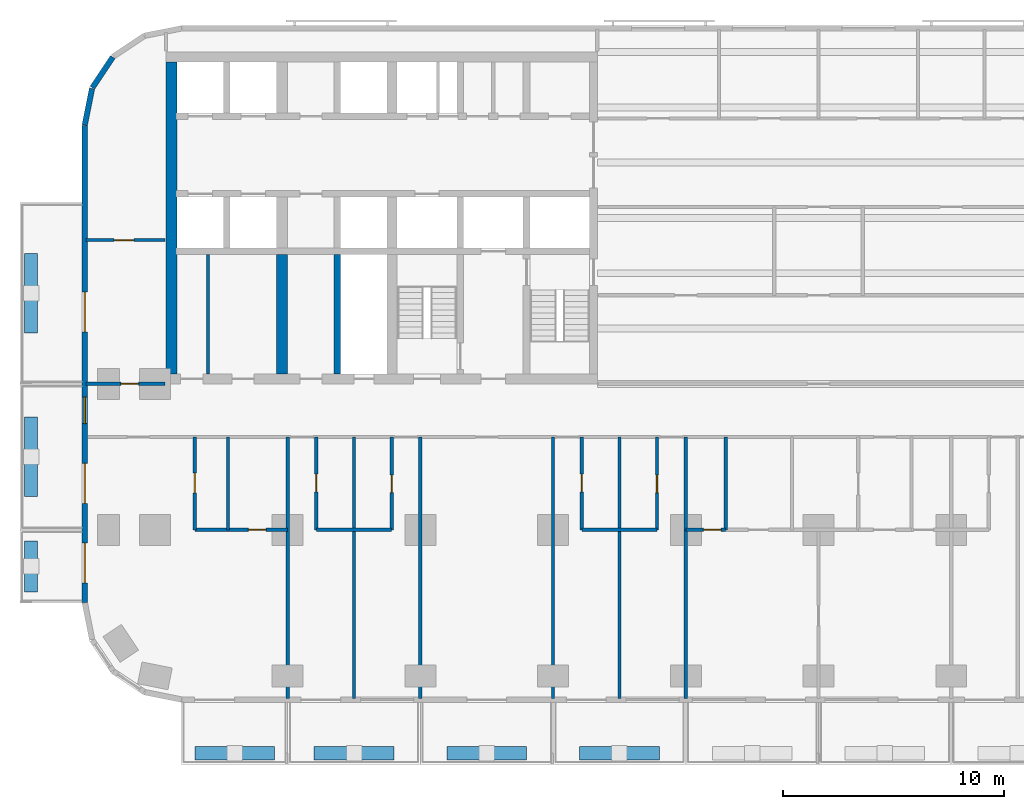
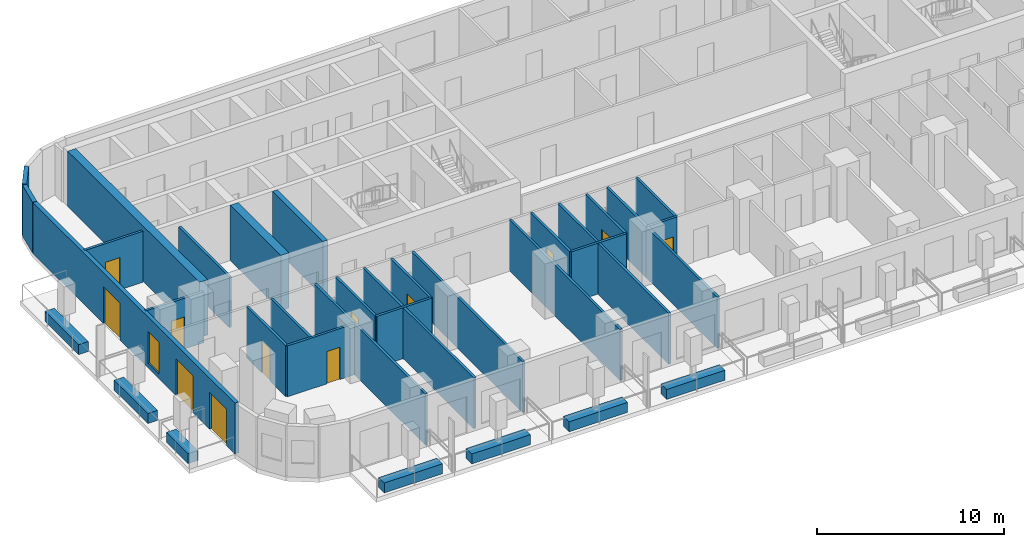
# One storey, part 2 of 13: 34 walls, 12 doors, 1 window, 13 openings.
"""IFC4 building model written with IfcOpenShell, lengths in metres."""

import ifcopenshell
import ifcopenshell.guid

model = None  # the IFC model being written
_history = None  # IfcOwnerHistory: only IFC2X3 demands one
_inside = {}  # id of a spatial element -> (the spatial element, [elements in it])
_under = {}  # id of a project, library or spatial element -> (it, [spatial elements below it])
_declared = {}  # id of a project -> (the project, [libraries it declares])
_typed = {}  # id of a type object -> (the type object, [elements of that type])
_made_of = {}  # id of a material, layer set ... -> (it, [elements and type objects made of it])


def new_model(schema):
    """Start an empty IFC model of exactly this schema.

    Asked for "IFC4X3", IfcOpenShell would pick the latest addendum, in which some entities
    have other attributes; the version numbers below select the first issue.
    IFC2X3 requires an IfcOwnerHistory on every rooted entity: one is made here for all.
    """
    global model, _history
    if schema == "IFC4X3":
        model = ifcopenshell.file(schema_version=(4, 3, 0, 0))
    else:
        model = ifcopenshell.file(schema=schema)
    _inside.clear()
    _under.clear()
    _declared.clear()
    _typed.clear()
    _made_of.clear()
    _history = None
    if model.schema == "IFC2X3":
        org = make("IfcOrganization", Name="unknown")
        user = make(
            "IfcPersonAndOrganization",
            ThePerson=make("IfcPerson", FamilyName="unknown"),
            TheOrganization=org,
        )
        app = make(
            "IfcApplication",
            ApplicationDeveloper=org,
            Version="unknown",
            ApplicationFullName="unknown",
            ApplicationIdentifier="unknown",
        )
        _history = make(
            "IfcOwnerHistory",
            OwningUser=user,
            OwningApplication=app,
            ChangeAction="ADDED",
            CreationDate=0,
        )
    return model


def make(cls, **values):
    """One entity of the class cls with the attributes given. An attribute that is None is left unset."""
    return model.create_entity(
        cls, **{name: value for name, value in values.items() if value is not None}
    )


def rooted(cls, **values):
    """An entity with a GlobalId (a new one), such as an element, a storey or a relation."""
    return make(cls, GlobalId=ifcopenshell.guid.new(), OwnerHistory=_history, **values)


def si_unit(unit_type, name, prefix=None):
    """IfcSIUnit, for example si_unit("LENGTHUNIT", "METRE", prefix="MILLI")."""
    return make("IfcSIUnit", UnitType=unit_type, Prefix=prefix, Name=name)


def assignment(units):
    """IfcUnitAssignment: the units of a project."""
    return None if units is None else make("IfcUnitAssignment", Units=units)


def point(xyz):
    """IfcCartesianPoint."""
    return None if xyz is None else make("IfcCartesianPoint", Coordinates=xyz)


def direction(xyz):
    """IfcDirection."""
    return None if xyz is None else make("IfcDirection", DirectionRatios=xyz)


def frame(location, z_axis=None, x_axis=None):
    """IfcAxis2Placement3D, a coordinate frame: its origin and axes. An axis left out is left unset."""
    return make(
        "IfcAxis2Placement3D",
        Location=point(location),
        Axis=direction(z_axis),
        RefDirection=direction(x_axis),
    )


def frame_2d(location, x_axis=None):
    """IfcAxis2Placement2D, a coordinate frame in the plane: its origin and x axis."""
    return make(
        "IfcAxis2Placement2D", Location=point(location), RefDirection=direction(x_axis)
    )


def origin():
    """The frame at (0, 0, 0) with its axes left unset."""
    return frame((0.0, 0.0, 0.0))


def place(relative_to, where):
    """IfcLocalPlacement: puts the frame where relative to a parent placement (None: the world)."""
    return make(
        "IfcLocalPlacement", PlacementRelTo=relative_to, RelativePlacement=where
    )


def context(
    kind, dimensions, precision=None, world=None, true_north=None, identifier=None
):
    """IfcGeometricRepresentationContext, for example the 3D "Model" context."""
    return make(
        "IfcGeometricRepresentationContext",
        ContextIdentifier=identifier,
        ContextType=kind,
        CoordinateSpaceDimension=dimensions,
        Precision=precision,
        WorldCoordinateSystem=world,
        TrueNorth=true_north,
    )


def subcontext(parent, identifier, kind, view, scale=None):
    """IfcGeometricRepresentationSubContext, for example "Body" below "Model"."""
    return make(
        "IfcGeometricRepresentationSubContext",
        ContextIdentifier=identifier,
        ContextType=kind,
        ParentContext=parent,
        TargetScale=scale,
        TargetView=view,
    )


def project(units=None, contexts=None):
    """IfcProject with its units and contexts."""
    return rooted(
        "IfcProject",
        Name="project",
        RepresentationContexts=contexts,
        UnitsInContext=assignment(units),
    )


def spatial(cls, under=None, at=None, **own):
    """A site, building, storey or space (cls), placed at a placement, below another one or the project."""
    s = rooted(cls, ObjectPlacement=at, **own)
    if under is not None:
        _under.setdefault(under.id(), (under, []))[1].append(s)
    return s


def profile(cls, at=None, kind="AREA", **sizes):
    """A parametric profile (cls). Its sizes go by their IFC names, for example OverallWidth=200.0."""
    return make(cls, ProfileType=kind, Position=at, **sizes)


def rectangle(**sizes):
    """IfcRectangleProfileDef."""
    return profile("IfcRectangleProfileDef", **sizes)


def extrude(swept, where, along, depth):
    """IfcExtrudedAreaSolid: the profile swept, set in the frame where, extruded along a direction by depth."""
    return make(
        "IfcExtrudedAreaSolid",
        SweptArea=swept,
        Position=where,
        ExtrudedDirection=direction(along),
        Depth=depth,
    )


def shape(context_of_items, identifier, shape_type, items):
    """IfcShapeRepresentation: the items that make up one representation, for example the "Body"."""
    return make(
        "IfcShapeRepresentation",
        ContextOfItems=context_of_items,
        RepresentationIdentifier=identifier,
        RepresentationType=shape_type,
        Items=items,
    )


def material(Name=None, Category=None):
    """IfcMaterial."""
    return make("IfcMaterial", Name=Name, Category=Category)


def layer(
    of_material, thickness, ventilated=None, Name=None, Category=None, Priority=None
):
    """IfcMaterialLayer: one layer of a wall or slab, of a material (None: an air gap)."""
    return make(
        "IfcMaterialLayer",
        Material=of_material,
        LayerThickness=thickness,
        IsVentilated=ventilated,
        Name=Name,
        Category=Category,
        Priority=Priority,
    )


def layer_set(layers, Name=None):
    """IfcMaterialLayerSet."""
    return make("IfcMaterialLayerSet", MaterialLayers=layers, LayerSetName=Name)


def made_of(thing, what):
    """Note that an element or type object is made of a material, layer set ...; save() writes the relation."""
    if what is not None:
        _made_of.setdefault(what.id(), (what, []))[1].append(thing)
    return thing


def type_object(cls, material=None, **own):
    """A type object (cls), such as IfcWallType, which elements share."""
    return made_of(rooted(cls, **own), material)


def element(
    cls,
    number,
    at=None,
    inside=None,
    cuts=None,
    type_object=None,
    material=None,
    context=None,
    identifier="Body",
    shape_type=None,
    held_by="IfcProductDefinitionShape",
    body=None,
    shapes=None,
    **own,
):
    """One element of the class cls, such as IfcWall. Its Tag is "e" and its number.

    at: its placement. inside: the storey or other place that contains it. cuts: it is an
    opening in that element (IfcRelVoidsElement). A single representation is given by context,
    identifier, shape_type and body (its items); several are given by shapes. held_by: the class
    of the entity that holds the representations. save() writes the other relations.
    """
    e = rooted(cls, Tag="e%d" % number, ObjectPlacement=at, **own)
    if body is not None:
        shapes = [shape(context, identifier, shape_type, body)]
    if shapes is not None:
        e.Representation = make(held_by, Representations=shapes)
    if inside is not None:
        _inside.setdefault(inside.id(), (inside, []))[1].append(e)
    if cuts is not None:
        rooted(
            "IfcRelVoidsElement", RelatingBuildingElement=cuts, RelatedOpeningElement=e
        )
    if type_object is not None:
        _typed.setdefault(type_object.id(), (type_object, []))[1].append(e)
    return made_of(e, material)


def fill(opening, filler):
    """IfcRelFillsElement: the door or window that sits in an opening."""
    return rooted(
        "IfcRelFillsElement",
        RelatingOpeningElement=opening,
        RelatedBuildingElement=filler,
    )


def aggregate(whole, parts):
    """IfcRelAggregates: a whole, such as a stair, and the parts it consists of."""
    return rooted("IfcRelAggregates", RelatingObject=whole, RelatedObjects=parts)


def save(model, path):
    """Write the relations noted so far, then the file.

    IfcRelAggregates (storeys below a building ...), IfcRelContainedInSpatialStructure (elements
    in a storey), IfcRelDefinesByType, IfcRelAssociatesMaterial and IfcRelDeclares: one each for
    every whole, place, type object, material and project.
    """
    for whole, parts in _under.values():
        aggregate(whole, parts)
    for where, things in _inside.values():
        rooted(
            "IfcRelContainedInSpatialStructure",
            RelatedElements=things,
            RelatingStructure=where,
        )
    for kind, things in _typed.values():
        rooted("IfcRelDefinesByType", RelatedObjects=things, RelatingType=kind)
    for what, things in _made_of.values():
        rooted("IfcRelAssociatesMaterial", RelatedObjects=things, RelatingMaterial=what)
    for by, libraries in _declared.values():
        rooted("IfcRelDeclares", RelatingContext=by, RelatedDefinitions=libraries)
    model.write(path)


model = new_model("IFC4")

# Units and contexts
model_context = context("Model", 3, precision=1e-05, world=origin(), true_north=direction((0.0, 1.0)))
body_context = subcontext(model_context, "Body", "Model", "MODEL_VIEW")
ifc_project = project(units=[si_unit("LENGTHUNIT", "METRE"), si_unit("AREAUNIT", "SQUARE_METRE"), si_unit("VOLUMEUNIT", "CUBIC_METRE"), si_unit("PLANEANGLEUNIT", "RADIAN"), si_unit("MASSUNIT", "GRAM", prefix="KILO")], contexts=[model_context])

# Site, building, storey
site_placement = place(None, origin())
site = spatial("IfcSite", under=ifc_project, at=site_placement, CompositionType="ELEMENT")
building_placement = place(site_placement, origin())
building = spatial("IfcBuilding", under=site, at=building_placement, Name="Torana Hotel and Residences", CompositionType="ELEMENT")
storey_placement = place(building_placement, frame((0.0, 0.0, 81.60009765625)))
storey = spatial("IfcBuildingStorey", under=building, at=storey_placement, Name="L20", CompositionType="ELEMENT", Elevation=81.60009765625)

# Walls
ifc_material_1 = material(Name="Concrete C80/95", Category="concrete")
ifc_layer_1 = layer(ifc_material_1, 0.300048828125)
ifc_layer_set_1 = layer_set([ifc_layer_1], Name="CORE WALL 300 C80/95")
wall_type_1 = type_object("IfcWallType", Name="CORE WALL 300 C80/95", PredefinedType="SHEAR", material=ifc_layer_set_1)
wall_1_placement = place(storey_placement, frame((-21.75, -14.550048828125, 0.0), z_axis=(0.0, 0.0, 1.0), x_axis=(0.0, 1.0, 0.0)))
element("IfcWall", 1, at=wall_1_placement, inside=storey, type_object=wall_type_1, Name="Core wall W mm-band", PredefinedType="SHEAR", context=body_context, shape_type="SweptSolid", body=[
    extrude(rectangle(XDim=5.400146484375, YDim=0.300048828125, at=frame_2d((2.7001953125, 0.0))), origin(), (0.0, 0.0, 1.0), 3.599853515625),
])
ifc_material_2 = material(Name="Concrete C80/95", Category="concrete")
ifc_layer_2 = layer(ifc_material_2, 0.5)
ifc_layer_set_2 = layer_set([ifc_layer_2], Name="CORE WALL 500 C80/95")
wall_type_2 = type_object("IfcWallType", Name="CORE WALL 500 C80/95", PredefinedType="SHEAR", material=ifc_layer_set_2)
wall_2_placement = place(storey_placement, frame((-29.25, -14.550048828125, 0.0), z_axis=(0.0, 0.0, 1.0), x_axis=(0.0, 1.0, 0.0)))
element("IfcWall", 2, at=wall_2_placement, inside=storey, type_object=wall_type_2, Name="Core wall W outer", PredefinedType="SHEAR", context=body_context, shape_type="SweptSolid", body=[
    extrude(rectangle(XDim=14.10009765625, YDim=0.5, at=frame_2d((7.050048828125, 0.0))), origin(), (0.0, 0.0, 1.0), 3.599853515625),
])
wall_3_placement = place(storey_placement, frame((-24.25, -14.550048828125, 0.0), z_axis=(0.0, 0.0, 1.0), x_axis=(0.0, 1.0, 0.0)))
element("IfcWall", 3, at=wall_3_placement, inside=storey, type_object=wall_type_2, Name="Core wall W ml-band", PredefinedType="SHEAR", context=body_context, shape_type="SweptSolid", body=[
    extrude(rectangle(XDim=5.400146484375, YDim=0.5, at=frame_2d((2.7001953125, 0.0))), origin(), (0.0, 0.0, 1.0), 3.599853515625),
])
ifc_material_3 = material(Name="Black aluminium composite panel", Category="aluminium")
ifc_layer_3 = layer(ifc_material_3, 0.00390625, Name="Cladding", Category="cladding")
ifc_material_4 = material(Name="Ventilated air cavity")
ifc_layer_4 = layer(ifc_material_4, 0.0400390625, Name="Ventilated cavity", Category="cavity")
ifc_material_5 = material(Name="Mineral wool insulation")
ifc_layer_5 = layer(ifc_material_5, 0.090087890625, Name="Insulation", Category="insulation")
ifc_material_6 = material(Name="Steel S280GD", Category="steel")
ifc_layer_6 = layer(ifc_material_6, 0.092041015625, Name="Steel stud frame", Category="structure")
ifc_material_7 = material(Name="Fire rated plasterboard")
ifc_layer_7 = layer(ifc_material_7, 0.011962890625, Name="Inner board", Category="finish")
ifc_layer_8 = layer(ifc_material_7, 0.011962890625, Name="Second board", Category="finish")
ifc_layer_set_3 = layer_set([ifc_layer_3, ifc_layer_4, ifc_layer_5, ifc_layer_6, ifc_layer_7, ifc_layer_8], Name="EW1 EXTERNAL WALL BLACK METAL CLAD 250")
wall_type_3 = type_object("IfcWallType", Name="EW1 EXTERNAL WALL BLACK METAL CLAD 250", PredefinedType="SOLIDWALL", material=ifc_layer_set_3)
wall_4_placement = place(storey_placement, frame((-31.90576171875, -0.228759765625, 0.0), z_axis=(0.0, 0.0, 1.0), x_axis=(-0.55555029066, -0.831482937015, 0.0)))
element("IfcWall", 4, at=wall_4_placement, inside=storey, type_object=wall_type_3, Name="External wall L20 e0.7", PredefinedType="SOLIDWALL", context=body_context, shape_type="SweptSolid", body=[
    extrude(rectangle(XDim=1.65625, YDim=0.25, at=frame_2d((0.828125, 0.0))), origin(), (0.0, 0.0, 1.0), 3.31982421875),
])
wall_5_placement = place(storey_placement, frame((-32.844482421875, -1.651123046875, 0.0), z_axis=(0.0, 0.0, 1.0), x_axis=(-0.19513878023, -0.980775640221, 0.0)))
element("IfcWall", 5, at=wall_5_placement, inside=storey, type_object=wall_type_3, Name="External wall L20 e0.8", PredefinedType="SOLIDWALL", context=body_context, shape_type="SweptSolid", body=[
    extrude(rectangle(XDim=1.681396484375, YDim=0.25, at=frame_2d((0.8408203125, 0.0))), origin(), (0.0, 0.0, 1.0), 3.31982421875),
])

# Wall, openings, doors, window
wall_6_placement = place(storey_placement, frame((-33.175048828125, -3.32470703125, 0.0), z_axis=(0.0, 0.0, 1.0), x_axis=(0.0, -1.0, 0.0)))
wall_6 = element("IfcWall", 6, at=wall_6_placement, inside=storey, type_object=wall_type_3, Name="External wall L20 e0.9", PredefinedType="SOLIDWALL", context=body_context, shape_type="SweptSolid", body=[
    extrude(rectangle(XDim=21.55078125, YDim=0.25, at=frame_2d((10.775390625, 0.0))), origin(), (0.0, 0.0, 1.0), 3.31982421875),
])
opening_1_placement = place(wall_6_placement, frame((7.525390625, 0.0, 0.0)))
opening_1 = element("IfcOpeningElement", 7, at=opening_1_placement, cuts=wall_6, Name="Opening L20-E14", PredefinedType="OPENING", context=body_context, shape_type="SweptSolid", body=[
    extrude(rectangle(XDim=1.800048828125, YDim=2.39990234375, at=frame_2d((0.89990234375, 1.199951171875))), frame((0.0, 0.135009765625, 0.0), z_axis=(0.0, -1.0, 0.0), x_axis=(1.0, 0.0, 0.0)), (0.0, 0.0, 1.0), 0.27001953125),
])
opening_2_placement = place(wall_6_placement, frame((12.275390625, 0.0, 0.300048828125)))
opening_2 = element("IfcOpeningElement", 8, at=opening_2_placement, cuts=wall_6, Name="Opening W7", PredefinedType="OPENING", context=body_context, shape_type="SweptSolid", body=[
    extrude(rectangle(XDim=1.199951171875, YDim=2.10009765625, at=frame_2d((0.60009765625, 1.050048828125))), frame((0.0, 0.135009765625, 0.0), z_axis=(0.0, -1.0, 0.0), x_axis=(1.0, 0.0, 0.0)), (0.0, 0.0, 1.0), 0.27001953125),
])
opening_3_placement = place(wall_6_placement, frame((15.275390625, 0.0, 0.0)))
opening_3 = element("IfcOpeningElement", 9, at=opening_3_placement, cuts=wall_6, Name="Opening L20-E15", PredefinedType="OPENING", context=body_context, shape_type="SweptSolid", body=[
    extrude(rectangle(XDim=1.800048828125, YDim=2.39990234375, at=frame_2d((0.89990234375, 1.199951171875))), frame((0.0, 0.135009765625, 0.0), z_axis=(0.0, -1.0, 0.0), x_axis=(1.0, 0.0, 0.0)), (0.0, 0.0, 1.0), 0.27001953125),
])
opening_4_placement = place(wall_6_placement, frame((18.87548828125, 0.0, 0.0)))
opening_4 = element("IfcOpeningElement", 10, at=opening_4_placement, cuts=wall_6, Name="Opening L20-E16", PredefinedType="OPENING", context=body_context, shape_type="SweptSolid", body=[
    extrude(rectangle(XDim=1.800048828125, YDim=2.39990234375, at=frame_2d((0.89990234375, 1.199951171875))), frame((0.0, 0.135009765625, 0.0), z_axis=(0.0, -1.0, 0.0), x_axis=(1.0, 0.0, 0.0)), (0.0, 0.0, 1.0), 0.27001953125),
])
ifc_material_8 = material(Name="Dark glass in black aluminium frame", Category="aluminium")
door_type_1 = type_object("IfcDoorType", Name="DB1 BALCONY DOOR 1800x2400", OperationType="DOUBLE_DOOR_SINGLE_SWING", PredefinedType="DOOR", material=ifc_material_8)
door_1_placement = place(opening_1_placement, origin())
door_1 = element("IfcDoor", 11, at=door_1_placement, inside=storey, type_object=door_type_1, Name="Balcony door L20", OperationType="DOUBLE_DOOR_SINGLE_SWING", OverallHeight=2.39990234375, OverallWidth=1.800048828125, PredefinedType="DOOR", context=body_context, shape_type="SweptSolid", body=[
    extrude(rectangle(XDim=1.800048828125, YDim=2.39990234375, at=frame_2d((0.89990234375, 1.199951171875))), frame((0.0, 0.02490234375, 0.0), z_axis=(0.0, -1.0, 0.0), x_axis=(1.0, 0.0, 0.0)), (0.0, 0.0, 1.0), 0.050048828125),
])
fill(opening_1, door_1)
door_2_placement = place(opening_3_placement, origin())
door_2 = element("IfcDoor", 12, at=door_2_placement, inside=storey, type_object=door_type_1, Name="Balcony door L20", OperationType="DOUBLE_DOOR_SINGLE_SWING", OverallHeight=2.39990234375, OverallWidth=1.800048828125, PredefinedType="DOOR", context=body_context, shape_type="SweptSolid", body=[
    extrude(rectangle(XDim=1.800048828125, YDim=2.39990234375, at=frame_2d((0.89990234375, 1.199951171875))), frame((0.0, 0.02490234375, 0.0), z_axis=(0.0, -1.0, 0.0), x_axis=(1.0, 0.0, 0.0)), (0.0, 0.0, 1.0), 0.050048828125),
])
fill(opening_3, door_2)
door_3_placement = place(opening_4_placement, frame((0.89990234375, 0.0, 0.0), z_axis=(0.0, 0.0, 1.0), x_axis=(-1.0, 0.0, 0.0)))
door_3 = element("IfcDoor", 13, at=door_3_placement, inside=storey, type_object=door_type_1, Name="Balcony door L20", OperationType="DOUBLE_DOOR_SINGLE_SWING", OverallHeight=2.39990234375, OverallWidth=1.800048828125, PredefinedType="DOOR", context=body_context, shape_type="SweptSolid", body=[
    extrude(rectangle(XDim=1.800048828125, YDim=2.39990234375, at=frame_2d((0.0, 1.199951171875))), frame((0.0, -0.02490234375, 0.0), z_axis=(0.0, 1.0, 0.0), x_axis=(-1.0, 0.0, 0.0)), (0.0, 0.0, 1.0), 0.050048828125),
])
fill(opening_4, door_3)
ifc_material_9 = material(Name="Dark glass in black aluminium frame", Category="aluminium")
window_type = type_object("IfcWindowType", Name="W7 HOTEL CORRIDOR WINDOW 1200x2100", PartitioningType="SINGLE_PANEL", PredefinedType="WINDOW", material=ifc_material_9)
window_placement = place(opening_2_placement, origin())
window = element("IfcWindow", 14, at=window_placement, inside=storey, type_object=window_type, Name="Window L20", OverallHeight=2.10009765625, OverallWidth=1.199951171875, PartitioningType="SINGLE_PANEL", PredefinedType="WINDOW", context=body_context, shape_type="SweptSolid", body=[
    extrude(rectangle(XDim=1.199951171875, YDim=2.10009765625, at=frame_2d((0.60009765625, 1.050048828125))), frame((0.0, 0.030029296875, 0.0), z_axis=(0.0, -1.0, 0.0), x_axis=(1.0, 0.0, 0.0)), (0.0, 0.0, 1.0), 0.06005859375),
])
fill(opening_2, window)

# Wall
ifc_material_10 = material(Name="Gypsum plaster")
ifc_layer_9 = layer(ifc_material_10, 0.014892578125, Name="Plaster", Category="finish")
ifc_material_11 = material(Name="Concrete blockwork", Category="masonry")
ifc_layer_10 = layer(ifc_material_11, 0.1201171875, Name="Blockwork", Category="structure")
ifc_layer_11 = layer(ifc_material_10, 0.014892578125, Name="Plaster", Category="finish")
ifc_layer_set_4 = layer_set([ifc_layer_9, ifc_layer_10, ifc_layer_11], Name="FIRE PARTITION 150 BLOCKWORK")
wall_type_4 = type_object("IfcWallType", Name="FIRE PARTITION 150 BLOCKWORK", PredefinedType="PARTITIONING", material=ifc_layer_set_4)
wall_7_placement = place(storey_placement, frame((-27.60009765625, -14.550048828125, 0.0), z_axis=(0.0, 0.0, 1.0), x_axis=(0.0, 1.0, 0.0)))
element("IfcWall", 15, at=wall_7_placement, inside=storey, type_object=wall_type_4, Name="Core partition L20", PredefinedType="PARTITIONING", context=body_context, shape_type="SweptSolid", body=[
    extrude(rectangle(XDim=5.400146484375, YDim=0.14990234375, at=frame_2d((2.7001953125, 0.0))), origin(), (0.0, 0.0, 1.0), 3.2998046875),
])

# Wall, opening, door
wall_8_placement = place(storey_placement, frame((-33.1201171875, -15.0, 0.0), z_axis=(0.0, 0.0, 1.0), x_axis=(1.0, 0.0, 0.0)))
wall_8 = element("IfcWall", 16, at=wall_8_placement, inside=storey, type_object=wall_type_4, Name="Partition L20", PredefinedType="PARTITIONING", context=body_context, shape_type="SweptSolid", body=[
    extrude(rectangle(XDim=3.570068359375, YDim=0.14990234375, at=frame_2d((1.78515625, 0.0))), origin(), (0.0, 0.0, 1.0), 3.31982421875),
])
opening_5_placement = place(wall_8_placement, frame((1.580078125, 0.0, 0.0)))
opening_5 = element("IfcOpeningElement", 17, at=opening_5_placement, cuts=wall_8, Name="Opening L20-50", PredefinedType="OPENING", context=body_context, shape_type="SweptSolid", body=[
    extrude(rectangle(XDim=0.800048828125, YDim=2.10009765625, at=frame_2d((0.39990234375, 1.050048828125))), frame((0.0, 0.0849609375, 0.0), z_axis=(0.0, -1.0, 0.0), x_axis=(1.0, 0.0, 0.0)), (0.0, 0.0, 1.0), 0.169921875),
])
ifc_material_12 = material(Name="Steel S235", Category="steel")
door_type_2 = type_object("IfcDoorType", Name="STORE FIRE DOOR D16 800x2100", OperationType="SINGLE_SWING_LEFT", PredefinedType="DOOR", material=ifc_material_12)
door_4_placement = place(opening_5_placement, origin())
door_4 = element("IfcDoor", 18, at=door_4_placement, inside=storey, type_object=door_type_2, Name="Door L20", OperationType="SINGLE_SWING_RIGHT", OverallHeight=2.10009765625, OverallWidth=0.800048828125, PredefinedType="DOOR", context=body_context, shape_type="SweptSolid", body=[
    extrude(rectangle(XDim=0.800048828125, YDim=2.10009765625, at=frame_2d((0.39990234375, 1.050048828125))), frame((0.0, 0.02490234375, 0.0), z_axis=(0.0, -1.0, 0.0), x_axis=(1.0, 0.0, 0.0)), (0.0, 0.0, 1.0), 0.050048828125),
])
fill(opening_5, door_4)

# Wall
ifc_material_13 = material(Name="Gypsum plasterboard")
ifc_layer_12 = layer(ifc_material_13, 0.012451171875, Name="Plasterboard", Category="finish")
ifc_layer_13 = layer(ifc_material_13, 0.012451171875, Name="Plasterboard", Category="finish")
ifc_layer_14 = layer(ifc_material_6, 0.10009765625, Name="Steel studs with mineral wool", Category="insulation")
ifc_layer_15 = layer(ifc_material_13, 0.012451171875, Name="Plasterboard", Category="finish")
ifc_layer_16 = layer(ifc_material_13, 0.012451171875, Name="Plasterboard", Category="finish")
ifc_layer_set_5 = layer_set([ifc_layer_12, ifc_layer_13, ifc_layer_14, ifc_layer_15, ifc_layer_16], Name="PARTITION 150 PLASTERBOARD")
wall_type_5 = type_object("IfcWallType", Name="PARTITION 150 PLASTERBOARD", PredefinedType="PARTITIONING", material=ifc_layer_set_5)
wall_9_placement = place(storey_placement, frame((-6.0, -29.219970703125, 0.0), z_axis=(0.0, 0.0, 1.0), x_axis=(0.0, 1.0, 0.0)))
element("IfcWall", 19, at=wall_9_placement, inside=storey, type_object=wall_type_5, Name="Partition L20", PredefinedType="PARTITIONING", context=body_context, shape_type="SweptSolid", body=[
    extrude(rectangle(XDim=7.619873046875, YDim=0.14990234375, at=frame_2d((3.81005859375, 0.0))), origin(), (0.0, 0.0, 1.0), 3.31982421875),
])

# Wall, opening, door
wall_10_placement = place(storey_placement, frame((-7.300048828125, -21.60009765625, 0.0), z_axis=(0.0, 0.0, 1.0), x_axis=(0.0, 1.0, 0.0)))
wall_10 = element("IfcWall", 20, at=wall_10_placement, inside=storey, type_object=wall_type_5, Name="Partition L20", PredefinedType="PARTITIONING", context=body_context, shape_type="SweptSolid", body=[
    extrude(rectangle(XDim=4.2001953125, YDim=0.14990234375, at=frame_2d((2.10009765625, 0.0))), origin(), (0.0, 0.0, 1.0), 3.31982421875),
])
opening_6_placement = place(wall_10_placement, frame((1.679931640625, 0.0, 0.0)))
opening_6 = element("IfcOpeningElement", 21, at=opening_6_placement, cuts=wall_10, Name="Opening L20-64", PredefinedType="OPENING", context=body_context, shape_type="SweptSolid", body=[
    extrude(rectangle(XDim=0.800048828125, YDim=2.10009765625, at=frame_2d((0.39990234375, 1.050048828125))), frame((0.0, 0.0849609375, 0.0), z_axis=(0.0, -1.0, 0.0), x_axis=(1.0, 0.0, 0.0)), (0.0, 0.0, 1.0), 0.169921875),
])
ifc_material_14 = material(Name="Timber door, painted", Category="wood")
door_type_3 = type_object("IfcDoorType", Name="BATH DOOR D13 800x2100", OperationType="SINGLE_SWING_LEFT", PredefinedType="DOOR", material=ifc_material_14)
door_5_placement = place(opening_6_placement, origin())
door_5 = element("IfcDoor", 22, at=door_5_placement, inside=storey, type_object=door_type_3, Name="Door L20", OperationType="SINGLE_SWING_RIGHT", OverallHeight=2.10009765625, OverallWidth=0.800048828125, PredefinedType="DOOR", context=body_context, shape_type="SweptSolid", body=[
    extrude(rectangle(XDim=0.800048828125, YDim=2.10009765625, at=frame_2d((0.39990234375, 1.050048828125))), frame((0.0, 0.02490234375, 0.0), z_axis=(0.0, -1.0, 0.0), x_axis=(1.0, 0.0, 0.0)), (0.0, 0.0, 1.0), 0.050048828125),
])
fill(opening_6, door_5)

# Wall
wall_11_placement = place(storey_placement, frame((-9.0, -29.219970703125, 0.0), z_axis=(0.0, 0.0, 1.0), x_axis=(0.0, 1.0, 0.0)))
element("IfcWall", 23, at=wall_11_placement, inside=storey, type_object=wall_type_5, Name="Partition L20", PredefinedType="PARTITIONING", context=body_context, shape_type="SweptSolid", body=[
    extrude(rectangle(XDim=11.820068359375, YDim=0.14990234375, at=frame_2d((5.91015625, 0.0))), origin(), (0.0, 0.0, 1.0), 3.31982421875),
])

# Wall, opening, door
wall_12_placement = place(storey_placement, frame((-10.699951171875, -21.60009765625, 0.0), z_axis=(0.0, 0.0, 1.0), x_axis=(0.0, 1.0, 0.0)))
wall_12 = element("IfcWall", 24, at=wall_12_placement, inside=storey, type_object=wall_type_5, Name="Partition L20", PredefinedType="PARTITIONING", context=body_context, shape_type="SweptSolid", body=[
    extrude(rectangle(XDim=4.2001953125, YDim=0.14990234375, at=frame_2d((2.10009765625, 0.0))), origin(), (0.0, 0.0, 1.0), 3.31982421875),
])
opening_7_placement = place(wall_12_placement, frame((1.719970703125, 0.0, 0.0)))
opening_7 = element("IfcOpeningElement", 25, at=opening_7_placement, cuts=wall_12, Name="Opening L20-63", PredefinedType="OPENING", context=body_context, shape_type="SweptSolid", body=[
    extrude(rectangle(XDim=0.800048828125, YDim=2.10009765625, at=frame_2d((0.39990234375, 1.050048828125))), frame((0.0, 0.0849609375, 0.0), z_axis=(0.0, -1.0, 0.0), x_axis=(1.0, 0.0, 0.0)), (0.0, 0.0, 1.0), 0.169921875),
])
door_6_placement = place(opening_7_placement, origin())
door_6 = element("IfcDoor", 26, at=door_6_placement, inside=storey, type_object=door_type_3, Name="Door L20", OperationType="SINGLE_SWING_RIGHT", OverallHeight=2.10009765625, OverallWidth=0.800048828125, PredefinedType="DOOR", context=body_context, shape_type="SweptSolid", body=[
    extrude(rectangle(XDim=0.800048828125, YDim=2.10009765625, at=frame_2d((0.39990234375, 1.050048828125))), frame((0.0, 0.02490234375, 0.0), z_axis=(0.0, -1.0, 0.0), x_axis=(1.0, 0.0, 0.0)), (0.0, 0.0, 1.0), 0.050048828125),
])
fill(opening_7, door_6)

# Walls
for number, where, z_axis, x_axis, name in (
    (27, (-12.0, -29.219970703125, 0.0), (0.0, 0.0, 1.0), (0.0, 1.0, 0.0), "Partition L20"),
    (28, (-18.0, -29.219970703125, 0.0), (0.0, 0.0, 1.0), (0.0, 1.0, 0.0), "Partition L20"),
):
    element("IfcWall", number, at=place(storey_placement, frame(where, z_axis=z_axis, x_axis=x_axis)), inside=storey, type_object=wall_type_5, Name=name, PredefinedType="PARTITIONING", context=body_context, shape_type="SweptSolid", body=[
        extrude(rectangle(XDim=11.820068359375, YDim=0.14990234375, at=frame_2d((5.91015625, 0.0))), origin(), (0.0, 0.0, 1.0), 3.31982421875),
    ])

# Wall, opening, door
wall_13_placement = place(storey_placement, frame((-19.300048828125, -21.60009765625, 0.0), z_axis=(0.0, 0.0, 1.0), x_axis=(0.0, 1.0, 0.0)))
wall_13 = element("IfcWall", 29, at=wall_13_placement, inside=storey, type_object=wall_type_5, Name="Partition L20", PredefinedType="PARTITIONING", context=body_context, shape_type="SweptSolid", body=[
    extrude(rectangle(XDim=4.2001953125, YDim=0.14990234375, at=frame_2d((2.10009765625, 0.0))), origin(), (0.0, 0.0, 1.0), 3.31982421875),
])
opening_8_placement = place(wall_13_placement, frame((1.679931640625, 0.0, 0.0)))
opening_8 = element("IfcOpeningElement", 30, at=opening_8_placement, cuts=wall_13, Name="Opening L20-62", PredefinedType="OPENING", context=body_context, shape_type="SweptSolid", body=[
    extrude(rectangle(XDim=0.800048828125, YDim=2.10009765625, at=frame_2d((0.39990234375, 1.050048828125))), frame((0.0, 0.0849609375, 0.0), z_axis=(0.0, -1.0, 0.0), x_axis=(1.0, 0.0, 0.0)), (0.0, 0.0, 1.0), 0.169921875),
])
door_7_placement = place(opening_8_placement, origin())
door_7 = element("IfcDoor", 31, at=door_7_placement, inside=storey, type_object=door_type_3, Name="Door L20", OperationType="SINGLE_SWING_RIGHT", OverallHeight=2.10009765625, OverallWidth=0.800048828125, PredefinedType="DOOR", context=body_context, shape_type="SweptSolid", body=[
    extrude(rectangle(XDim=0.800048828125, YDim=2.10009765625, at=frame_2d((0.39990234375, 1.050048828125))), frame((0.0, 0.02490234375, 0.0), z_axis=(0.0, -1.0, 0.0), x_axis=(1.0, 0.0, 0.0)), (0.0, 0.0, 1.0), 0.050048828125),
])
fill(opening_8, door_7)

# Wall
wall_14_placement = place(storey_placement, frame((-21.0, -29.219970703125, 0.0), z_axis=(0.0, 0.0, 1.0), x_axis=(0.0, 1.0, 0.0)))
element("IfcWall", 32, at=wall_14_placement, inside=storey, type_object=wall_type_5, Name="Partition L20", PredefinedType="PARTITIONING", context=body_context, shape_type="SweptSolid", body=[
    extrude(rectangle(XDim=11.820068359375, YDim=0.14990234375, at=frame_2d((5.91015625, 0.0))), origin(), (0.0, 0.0, 1.0), 3.31982421875),
])

# Wall, opening, door
wall_15_placement = place(storey_placement, frame((-22.699951171875, -21.60009765625, 0.0), z_axis=(0.0, 0.0, 1.0), x_axis=(0.0, 1.0, 0.0)))
wall_15 = element("IfcWall", 33, at=wall_15_placement, inside=storey, type_object=wall_type_5, Name="Partition L20", PredefinedType="PARTITIONING", context=body_context, shape_type="SweptSolid", body=[
    extrude(rectangle(XDim=4.2001953125, YDim=0.14990234375, at=frame_2d((2.10009765625, 0.0))), origin(), (0.0, 0.0, 1.0), 3.31982421875),
])
opening_9_placement = place(wall_15_placement, frame((1.719970703125, 0.0, 0.0)))
opening_9 = element("IfcOpeningElement", 34, at=opening_9_placement, cuts=wall_15, Name="Opening L20-61", PredefinedType="OPENING", context=body_context, shape_type="SweptSolid", body=[
    extrude(rectangle(XDim=0.800048828125, YDim=2.10009765625, at=frame_2d((0.39990234375, 1.050048828125))), frame((0.0, 0.0849609375, 0.0), z_axis=(0.0, -1.0, 0.0), x_axis=(1.0, 0.0, 0.0)), (0.0, 0.0, 1.0), 0.169921875),
])
door_8_placement = place(opening_9_placement, origin())
door_8 = element("IfcDoor", 35, at=door_8_placement, inside=storey, type_object=door_type_3, Name="Door L20", OperationType="SINGLE_SWING_RIGHT", OverallHeight=2.10009765625, OverallWidth=0.800048828125, PredefinedType="DOOR", context=body_context, shape_type="SweptSolid", body=[
    extrude(rectangle(XDim=0.800048828125, YDim=2.10009765625, at=frame_2d((0.39990234375, 1.050048828125))), frame((0.0, 0.02490234375, 0.0), z_axis=(0.0, -1.0, 0.0), x_axis=(1.0, 0.0, 0.0)), (0.0, 0.0, 1.0), 0.050048828125),
])
fill(opening_9, door_8)

# Walls
wall_16_placement = place(storey_placement, frame((-24.0, -29.219970703125, 0.0), z_axis=(0.0, 0.0, 1.0), x_axis=(0.0, 1.0, 0.0)))
element("IfcWall", 36, at=wall_16_placement, inside=storey, type_object=wall_type_5, Name="Partition L20", PredefinedType="PARTITIONING", context=body_context, shape_type="SweptSolid", body=[
    extrude(rectangle(XDim=11.820068359375, YDim=0.14990234375, at=frame_2d((5.91015625, 0.0))), origin(), (0.0, 0.0, 1.0), 3.31982421875),
])
wall_17_placement = place(storey_placement, frame((-26.699951171875, -21.60009765625, 0.0), z_axis=(0.0, 0.0, 1.0), x_axis=(0.0, 1.0, 0.0)))
element("IfcWall", 37, at=wall_17_placement, inside=storey, type_object=wall_type_5, Name="Partition L20", PredefinedType="PARTITIONING", context=body_context, shape_type="SweptSolid", body=[
    extrude(rectangle(XDim=4.2001953125, YDim=0.14990234375, at=frame_2d((2.10009765625, 0.0))), origin(), (0.0, 0.0, 1.0), 3.31982421875),
])

# Wall, opening, door
wall_18_placement = place(storey_placement, frame((-28.199951171875, -21.60009765625, 0.0), z_axis=(0.0, 0.0, 1.0), x_axis=(0.0, 1.0, 0.0)))
wall_18 = element("IfcWall", 38, at=wall_18_placement, inside=storey, type_object=wall_type_5, Name="Partition L20", PredefinedType="PARTITIONING", context=body_context, shape_type="SweptSolid", body=[
    extrude(rectangle(XDim=4.2001953125, YDim=0.14990234375, at=frame_2d((2.10009765625, 0.0))), origin(), (0.0, 0.0, 1.0), 3.31982421875),
])
opening_10_placement = place(wall_18_placement, frame((1.669921875, 0.0, 0.0)))
opening_10 = element("IfcOpeningElement", 39, at=opening_10_placement, cuts=wall_18, Name="Opening L20-76", PredefinedType="OPENING", context=body_context, shape_type="SweptSolid", body=[
    extrude(rectangle(XDim=0.89990234375, YDim=2.10009765625, at=frame_2d((0.449951171875, 1.050048828125))), frame((0.0, 0.0849609375, 0.0), z_axis=(0.0, -1.0, 0.0), x_axis=(1.0, 0.0, 0.0)), (0.0, 0.0, 1.0), 0.169921875),
])
ifc_material_15 = material(Name="Timber door, oiled ash", Category="wood")
door_type_4 = type_object("IfcDoorType", Name="ROOM DOOR D7 900x2100", OperationType="SINGLE_SWING_LEFT", PredefinedType="DOOR", material=ifc_material_15)
door_9_placement = place(opening_10_placement, origin())
door_9 = element("IfcDoor", 40, at=door_9_placement, inside=storey, type_object=door_type_4, Name="Door L20", OperationType="SINGLE_SWING_RIGHT", OverallHeight=2.10009765625, OverallWidth=0.89990234375, PredefinedType="DOOR", context=body_context, shape_type="SweptSolid", body=[
    extrude(rectangle(XDim=0.89990234375, YDim=2.10009765625, at=frame_2d((0.449951171875, 1.050048828125))), frame((0.0, 0.02490234375, 0.0), z_axis=(0.0, -1.0, 0.0), x_axis=(1.0, 0.0, 0.0)), (0.0, 0.0, 1.0), 0.050048828125),
])
fill(opening_10, door_9)

wall_19_placement = place(storey_placement, frame((-28.199951171875, -21.60009765625, 0.0), z_axis=(0.0, 0.0, 1.0), x_axis=(1.0, 0.0, 0.0)))
wall_19 = element("IfcWall", 41, at=wall_19_placement, inside=storey, type_object=wall_type_5, Name="Partition L20", PredefinedType="PARTITIONING", context=body_context, shape_type="SweptSolid", body=[
    extrude(rectangle(XDim=4.199951171875, YDim=0.14990234375, at=frame_2d((2.10009765625, 0.0))), origin(), (0.0, 0.0, 1.0), 3.31982421875),
])
opening_11_placement = place(wall_19_placement, frame((2.429931640625, 0.0, 0.0)))
opening_11 = element("IfcOpeningElement", 42, at=opening_11_placement, cuts=wall_19, Name="Opening L20-75", PredefinedType="OPENING", context=body_context, shape_type="SweptSolid", body=[
    extrude(rectangle(XDim=0.800048828125, YDim=2.10009765625, at=frame_2d((0.39990234375, 1.050048828125))), frame((0.0, 0.0849609375, 0.0), z_axis=(0.0, -1.0, 0.0), x_axis=(1.0, 0.0, 0.0)), (0.0, 0.0, 1.0), 0.169921875),
])
door_10_placement = place(opening_11_placement, origin())
door_10 = element("IfcDoor", 43, at=door_10_placement, inside=storey, type_object=door_type_3, Name="Door L20", OperationType="SINGLE_SWING_LEFT", OverallHeight=2.10009765625, OverallWidth=0.800048828125, PredefinedType="DOOR", context=body_context, shape_type="SweptSolid", body=[
    extrude(rectangle(XDim=0.800048828125, YDim=2.10009765625, at=frame_2d((0.39990234375, 1.050048828125))), frame((0.0, 0.02490234375, 0.0), z_axis=(0.0, -1.0, 0.0), x_axis=(1.0, 0.0, 0.0)), (0.0, 0.0, 1.0), 0.050048828125),
])
fill(opening_11, door_10)

# Walls
for number, where, z_axis, x_axis, name in (
    (44, (-22.699951171875, -21.60009765625, 0.0), (0.0, 0.0, 1.0), (1.0, 0.0, 0.0), "Partition L20"),
    (45, (-10.699951171875, -21.60009765625, 0.0), (0.0, 0.0, 1.0), (1.0, 0.0, 0.0), "Partition L20"),
):
    element("IfcWall", number, at=place(storey_placement, frame(where, z_axis=z_axis, x_axis=x_axis)), inside=storey, type_object=wall_type_5, Name=name, PredefinedType="PARTITIONING", context=body_context, shape_type="SweptSolid", body=[
        extrude(rectangle(XDim=3.39990234375, YDim=0.14990234375, at=frame_2d((1.699951171875, 0.0))), origin(), (0.0, 0.0, 1.0), 3.31982421875),
    ])

# Wall, opening, door
wall_20_placement = place(storey_placement, frame((-33.1201171875, -8.5, 0.0), z_axis=(0.0, 0.0, 1.0), x_axis=(1.0, 0.0, 0.0)))
wall_20 = element("IfcWall", 46, at=wall_20_placement, inside=storey, type_object=wall_type_5, Name="Partition L20", PredefinedType="PARTITIONING", context=body_context, shape_type="SweptSolid", body=[
    extrude(rectangle(XDim=3.570068359375, YDim=0.14990234375, at=frame_2d((1.78515625, 0.0))), origin(), (0.0, 0.0, 1.0), 3.31982421875),
])
opening_12_placement = place(wall_20_placement, frame((1.27001953125, 0.0, 0.0)))
opening_12 = element("IfcOpeningElement", 47, at=opening_12_placement, cuts=wall_20, Name="Opening L20-79", PredefinedType="OPENING", context=body_context, shape_type="SweptSolid", body=[
    extrude(rectangle(XDim=0.89990234375, YDim=2.10009765625, at=frame_2d((0.449951171875, 1.050048828125))), frame((0.0, 0.0849609375, 0.0), z_axis=(0.0, -1.0, 0.0), x_axis=(1.0, 0.0, 0.0)), (0.0, 0.0, 1.0), 0.169921875),
])
door_11_placement = place(opening_12_placement, origin())
door_11 = element("IfcDoor", 48, at=door_11_placement, inside=storey, type_object=door_type_4, Name="Door L20", OperationType="SINGLE_SWING_RIGHT", OverallHeight=2.10009765625, OverallWidth=0.89990234375, PredefinedType="DOOR", context=body_context, shape_type="SweptSolid", body=[
    extrude(rectangle(XDim=0.89990234375, YDim=2.10009765625, at=frame_2d((0.449951171875, 1.050048828125))), frame((0.0, 0.02490234375, 0.0), z_axis=(0.0, -1.0, 0.0), x_axis=(1.0, 0.0, 0.0)), (0.0, 0.0, 1.0), 0.050048828125),
])
fill(opening_12, door_11)

# Walls
ifc_material_16 = material(Name="Concrete C40/50 precast", Category="concrete")
ifc_layer_17 = layer(ifc_material_16, 0.10009765625, Name="Planter shell", Category="structure")
ifc_material_17 = material(Name="Root resistant membrane")
ifc_layer_18 = layer(ifc_material_17, 0.00390625, Name="Waterproofing membrane", Category="membrane")
ifc_material_18 = material(Name="Drainage board with filter fleece")
ifc_layer_19 = layer(ifc_material_18, 0.02001953125, Name="Drainage board", Category="drainage")
ifc_material_19 = material(Name="Growing medium")
ifc_layer_20 = layer(ifc_material_19, 0.47607421875, Name="Planting substrate", Category="soil")
ifc_layer_set_6 = layer_set([ifc_layer_17, ifc_layer_18, ifc_layer_19, ifc_layer_20], Name="PL1 BALCONY PLANTER 600")
wall_type_6 = type_object("IfcWallType", Name="PL1 BALCONY PLANTER 600", PredefinedType="USERDEFINED", material=ifc_layer_set_6)
wall_21_placement = place(storey_placement, frame((-24.60009765625, -31.699951171875, 0.0), z_axis=(0.0, 0.0, 1.0), x_axis=(-1.0, 0.0, 0.0)))
element("IfcWall", 49, at=wall_21_placement, inside=storey, type_object=wall_type_6, Name="Planter 01", ObjectType="PLANTER", PredefinedType="USERDEFINED", context=body_context, shape_type="SweptSolid", body=[
    extrude(rectangle(XDim=3.599853515625, YDim=0.60009765625, at=frame_2d((1.7998046875, 0.0))), origin(), (0.0, 0.0, 1.0), 0.64990234375),
])
for number, where, z_axis, x_axis, name in (
    (50, (-19.199951171875, -31.699951171875, 0.0), (0.0, 0.0, 1.0), (-1.0, 0.0, 0.0), "Planter 02"),
    (51, (-13.199951171875, -31.699951171875, 0.0), (0.0, 0.0, 1.0), (-1.0, 0.0, 0.0), "Planter 03"),
    (52, (-7.199951171875, -31.699951171875, 0.0), (0.0, 0.0, 1.0), (-1.0, 0.0, 0.0), "Planter 04"),
):
    element("IfcWall", number, at=place(storey_placement, frame(where, z_axis=z_axis, x_axis=x_axis)), inside=storey, type_object=wall_type_6, Name=name, ObjectType="PLANTER", PredefinedType="USERDEFINED", context=body_context, shape_type="SweptSolid", body=[
        extrude(rectangle(XDim=3.60009765625, YDim=0.60009765625, at=frame_2d((1.800048828125, 0.0))), origin(), (0.0, 0.0, 1.0), 0.64990234375),
    ])
wall_22_placement = place(storey_placement, frame((-35.60009765625, -24.39990234375, 0.0), z_axis=(0.0, 0.0, 1.0), x_axis=(0.0, 1.0, 0.0)))
element("IfcWall", 53, at=wall_22_placement, inside=storey, type_object=wall_type_6, Name="Planter 11", ObjectType="PLANTER", PredefinedType="USERDEFINED", context=body_context, shape_type="SweptSolid", body=[
    extrude(rectangle(XDim=2.2998046875, YDim=0.60009765625, at=frame_2d((1.14990234375, 0.0))), origin(), (0.0, 0.0, 1.0), 0.64990234375),
])
wall_23_placement = place(storey_placement, frame((-35.60009765625, -20.10009765625, 0.0), z_axis=(0.0, 0.0, 1.0), x_axis=(0.0, 1.0, 0.0)))
element("IfcWall", 54, at=wall_23_placement, inside=storey, type_object=wall_type_6, Name="Planter 12", ObjectType="PLANTER", PredefinedType="USERDEFINED", context=body_context, shape_type="SweptSolid", body=[
    extrude(rectangle(XDim=3.60009765625, YDim=0.60009765625, at=frame_2d((1.800048828125, 0.0))), origin(), (0.0, 0.0, 1.0), 0.64990234375),
])
wall_24_placement = place(storey_placement, frame((-35.60009765625, -12.699951171875, 0.0), z_axis=(0.0, 0.0, 1.0), x_axis=(0.0, 1.0, 0.0)))
element("IfcWall", 55, at=wall_24_placement, inside=storey, type_object=wall_type_6, Name="Planter 13", ObjectType="PLANTER", PredefinedType="USERDEFINED", context=body_context, shape_type="SweptSolid", body=[
    extrude(rectangle(XDim=3.599853515625, YDim=0.60009765625, at=frame_2d((1.7998046875, 0.0))), origin(), (0.0, 0.0, 1.0), 0.64990234375),
])
ifc_material_20 = material(Name="Ceramic tile on adhesive")
ifc_layer_21 = layer(ifc_material_20, 0.010009765625, Name="Wall tile", Category="finish")
ifc_material_21 = material(Name="Cement render")
ifc_layer_22 = layer(ifc_material_21, 0.010009765625, Name="Render", Category="finish")
ifc_layer_23 = layer(ifc_material_11, 0.110107421875, Name="Blockwork", Category="structure")
ifc_layer_24 = layer(ifc_material_21, 0.010009765625, Name="Render", Category="finish")
ifc_layer_25 = layer(ifc_material_20, 0.010009765625, Name="Wall tile", Category="finish")
ifc_layer_set_7 = layer_set([ifc_layer_21, ifc_layer_22, ifc_layer_23, ifc_layer_24, ifc_layer_25], Name="WC PARTITION 150")
wall_type_7 = type_object("IfcWallType", Name="WC PARTITION 150", PredefinedType="PLUMBINGWALL", material=ifc_layer_set_7)
for number, where, z_axis, x_axis, name in (
    (56, (-4.199951171875, -21.60009765625, 0.0), (0.0, 0.0, 1.0), (0.0, 1.0, 0.0), "Partition L20"),
    (57, (-6.0, -21.60009765625, 0.0), (0.0, 0.0, 1.0), (0.0, 1.0, 0.0), "Partition L20"),
):
    element("IfcWall", number, at=place(storey_placement, frame(where, z_axis=z_axis, x_axis=x_axis)), inside=storey, type_object=wall_type_7, Name=name, PredefinedType="PLUMBINGWALL", context=body_context, shape_type="SweptSolid", body=[
        extrude(rectangle(XDim=4.2001953125, YDim=0.14990234375, at=frame_2d((2.10009765625, 0.0))), origin(), (0.0, 0.0, 1.0), 3.31982421875),
    ])

# Wall, opening, door
wall_25_placement = place(storey_placement, frame((-6.0, -21.60009765625, 0.0), z_axis=(0.0, 0.0, 1.0), x_axis=(1.0, 0.0, 0.0)))
wall_25 = element("IfcWall", 58, at=wall_25_placement, inside=storey, type_object=wall_type_7, Name="Partition L20", PredefinedType="PLUMBINGWALL", context=body_context, shape_type="SweptSolid", body=[
    extrude(rectangle(XDim=1.800048828125, YDim=0.14990234375, at=frame_2d((0.89990234375, 0.0))), origin(), (0.0, 0.0, 1.0), 3.31982421875),
])
opening_13_placement = place(wall_25_placement, frame((0.800048828125, 0.0, 0.0)))
opening_13 = element("IfcOpeningElement", 59, at=opening_13_placement, cuts=wall_25, Name="Opening L20-65", PredefinedType="OPENING", context=body_context, shape_type="SweptSolid", body=[
    extrude(rectangle(XDim=0.800048828125, YDim=2.10009765625, at=frame_2d((0.39990234375, 1.050048828125))), frame((0.0, 0.0849609375, 0.0), z_axis=(0.0, -1.0, 0.0), x_axis=(1.0, 0.0, 0.0)), (0.0, 0.0, 1.0), 0.169921875),
])
door_12_placement = place(opening_13_placement, origin())
door_12 = element("IfcDoor", 60, at=door_12_placement, inside=storey, type_object=door_type_3, Name="Door L20", OperationType="SINGLE_SWING_RIGHT", OverallHeight=2.10009765625, OverallWidth=0.800048828125, PredefinedType="DOOR", context=body_context, shape_type="SweptSolid", body=[
    extrude(rectangle(XDim=0.800048828125, YDim=2.10009765625, at=frame_2d((0.39990234375, 1.050048828125))), frame((0.0, 0.02490234375, 0.0), z_axis=(0.0, -1.0, 0.0), x_axis=(1.0, 0.0, 0.0)), (0.0, 0.0, 1.0), 0.050048828125),
])
fill(opening_13, door_12)

save(model, "model.ifc")
